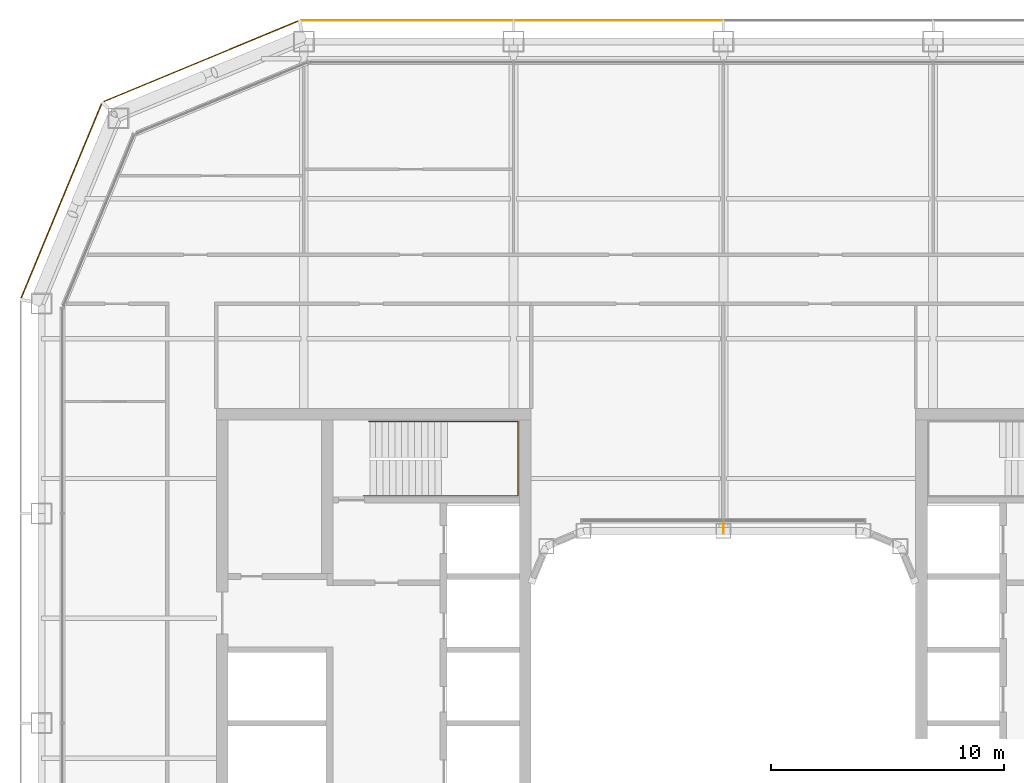
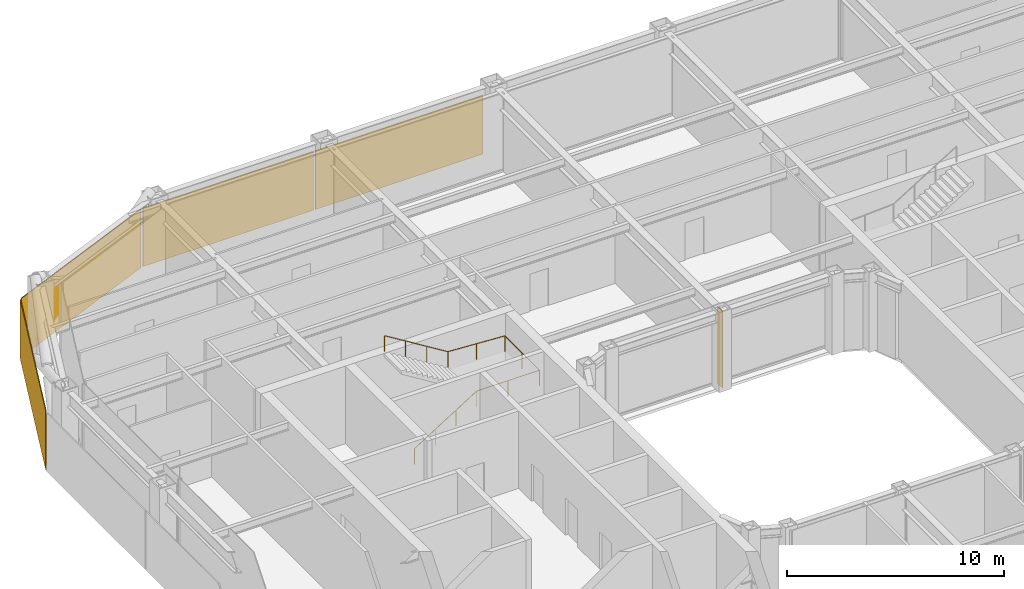
# One storey, part 20 of 21: 4 coverings, 1 railing, 1 shading device.
"""IFC4 building model written with IfcOpenShell, lengths in metres."""

from ifc_helpers import new_model, si_unit, direction, frame, origin, origin_2d, place, context, subcontext, project, spatial, rectangle, circle, extrude, material, layer, layer_set, type_object, element, save


model = new_model("IFC4")

# Units and contexts
model_context = context("Model", 3, precision=1e-05, world=origin(), true_north=direction((0.0, 1.0)))
body_context = subcontext(model_context, "Body", "Model", "MODEL_VIEW")
ifc_project = project(units=[si_unit("LENGTHUNIT", "METRE"), si_unit("AREAUNIT", "SQUARE_METRE"), si_unit("VOLUMEUNIT", "CUBIC_METRE"), si_unit("PLANEANGLEUNIT", "RADIAN"), si_unit("MASSUNIT", "GRAM", prefix="KILO")], contexts=[model_context])

# Site, building, storey
site_placement = place(None, origin())
site = spatial("IfcSite", under=ifc_project, at=site_placement, CompositionType="ELEMENT")
building_placement = place(site_placement, origin())
building = spatial("IfcBuilding", under=site, at=building_placement, Name="Siwar Civic Tower", CompositionType="ELEMENT")
storey_placement = place(building_placement, frame((0.0, 0.0, 158.699951171875)))
storey = spatial("IfcBuildingStorey", under=building, at=storey_placement, Name="L34", CompositionType="ELEMENT", Elevation=158.699951171875)

# Railing
ifc_material_1 = material(Name="Stainless steel", Category="steel")
railing_type = type_object("IfcRailingType", Name="CORE-STAIR-HANDRAIL", PredefinedType="HANDRAIL", material=ifc_material_1)
railing_placement = place(storey_placement, frame((-15.449951171875, 9.758056640625, 0.173095703125)))
element("IfcRailing", 1, at=railing_placement, inside=storey, type_object=railing_type, Name="Stair handrail ST1", PredefinedType="HANDRAIL", context=body_context, shape_type="SweptSolid", body=[
    extrude(circle(Radius=0.02001953125, at=origin_2d()), frame((0.0, 0.0, 0.8798828125), z_axis=(0.847063342986, 0.0, 0.531491950051), x_axis=(0.0, 1.0, 0.0)), (0.0, 0.0, 1.0), 3.90771484375),
    extrude(circle(Radius=0.02001953125, at=origin_2d()), frame((3.31005859375, 0.0, 2.956787109375), z_axis=(1.0, 0.0, 0.0), x_axis=(0.0, 1.0, 0.0)), (0.0, 0.0, 1.0), 3.331787109375),
    extrude(circle(Radius=0.02001953125, at=origin_2d()), frame((6.641845703125, 0.0, 2.956787109375), z_axis=(0.0, 1.0, 0.0), x_axis=(-1.0, 0.0, 0.0)), (0.0, 0.0, 1.0), 3.183837890625),
    extrude(circle(Radius=0.02001953125, at=origin_2d()), frame((6.641845703125, 3.183837890625, 2.956787109375), z_axis=(-0.99837434197, 0.0, 0.056997134106), x_axis=(0.0, -1.0, 0.0)), (0.0, 0.0, 1.0), 3.036865234375),
    extrude(circle(Radius=0.02001953125, at=origin_2d()), frame((3.60986328125, 3.183837890625, 3.1298828125), z_axis=(-0.850606129759, 0.0, 0.525803396734), x_axis=(0.0, -1.0, 0.0)), (0.0, 0.0, 1.0), 3.949951171875),
    extrude(circle(Radius=0.02001953125, at=origin_2d()), origin(), (0.0, 0.0, 1.0), 0.85986328125),
    extrude(circle(Radius=0.02001953125, at=origin_2d()), frame((1.103271484375, 0.0, 0.6923828125)), (0.0, 0.0, 1.0), 0.85986328125),
    extrude(circle(Radius=0.02001953125, at=origin_2d()), frame((2.206787109375, 0.0, 1.384521484375)), (0.0, 0.0, 1.0), 0.85986328125),
    extrude(circle(Radius=0.02001953125, at=origin_2d()), frame((3.31005859375, 0.0, 2.076904296875)), (0.0, 0.0, 1.0), 0.85986328125),
    extrude(circle(Radius=0.02001953125, at=origin_2d()), frame((4.97607421875, 0.0, 2.076904296875)), (0.0, 0.0, 1.0), 0.85986328125),
    extrude(circle(Radius=0.02001953125, at=origin_2d()), frame((6.641845703125, 0.0, 2.076904296875)), (0.0, 0.0, 1.0), 0.85986328125),
    extrude(circle(Radius=0.02001953125, at=origin_2d()), frame((6.641845703125, 1.591796875, 2.076904296875)), (0.0, 0.0, 1.0), 0.85986328125),
    extrude(circle(Radius=0.02001953125, at=origin_2d()), frame((6.641845703125, 3.183837890625, 2.076904296875)), (0.0, 0.0, 1.0), 0.85986328125),
    extrude(circle(Radius=0.02001953125, at=origin_2d()), frame((5.1259765625, 3.183837890625, 2.16357421875)), (0.0, 0.0, 1.0), 0.85986328125),
    extrude(circle(Radius=0.02001953125, at=origin_2d()), frame((3.60986328125, 3.183837890625, 2.25)), (0.0, 0.0, 1.0), 0.85986328125),
    extrude(circle(Radius=0.02001953125, at=origin_2d()), frame((2.489990234375, 3.183837890625, 2.9423828125)), (0.0, 0.0, 1.0), 0.85986328125),
    extrude(circle(Radius=0.02001953125, at=origin_2d()), frame((1.369873046875, 3.183837890625, 3.634521484375)), (0.0, 0.0, 1.0), 0.85986328125),
    extrude(circle(Radius=0.02001953125, at=origin_2d()), frame((0.25, 3.183837890625, 4.326904296875)), (0.0, 0.0, 1.0), 0.85986328125),
])

# Shading device
ifc_material_2 = material(Name="Aluminium 6063-T6", Category="aluminium")
ifc_layer_1 = layer(ifc_material_2, 0.02001953125)
ifc_layer_set_1 = layer_set([ifc_layer_1], Name="Aluminium 6063-T6")
shading_device_type = type_object("IfcShadingDeviceType", Name="ENV-FIN", PredefinedType="JALOUSIE", material=ifc_layer_set_1)
shading_device_placement = place(storey_placement, frame((0.0, 8.3701171875, 0.0), z_axis=(0.0, 0.0, 1.0), x_axis=(-1.0, 0.0, 0.0)))
element("IfcShadingDevice", 2, at=shading_device_placement, inside=storey, type_object=shading_device_type, Name="SUNSHADE fin WN 1", PredefinedType="JALOUSIE", context=body_context, shape_type="SweptSolid", body=[
    extrude(rectangle(XDim=0.02001953125, YDim=0.449951171875, at=origin_2d()), origin(), (0.0, 0.0, 1.0), 4.35009765625),
])

# Coverings
ifc_material_3 = material(Name="Perforated aluminium cassette, pale metal", Category="aluminium")
ifc_layer_2 = layer(ifc_material_3, 0.0400390625)
ifc_layer_set_2 = layer_set([ifc_layer_2], Name="Perforated aluminium cassette, pale metal")
covering_type_1 = type_object("IfcCoveringType", Name="ENV-OUTER SKIN OS-1", PredefinedType="CLADDING", material=ifc_layer_set_2)
covering_1_placement = place(storey_placement, frame((-4.5, 30.14990234375, -0.14990234375), z_axis=(0.0, 0.0, 1.0), x_axis=(-1.0, 0.0, 0.0)))
element("IfcCovering", 3, at=covering_1_placement, inside=storey, type_object=covering_type_1, Name="OUTER SKIN OS-1 N 3", PredefinedType="CLADDING", context=body_context, shape_type="SweptSolid", body=[
    extrude(rectangle(XDim=8.89990234375, YDim=0.0400390625, at=origin_2d()), origin(), (0.0, 0.0, 1.0), 3.300048828125),
])
covering_2_placement = place(storey_placement, frame((-13.57958984375, 30.14990234375, -0.14990234375), z_axis=(0.0, 0.0, 1.0), x_axis=(-1.0, 0.0, 0.0)))
element("IfcCovering", 4, at=covering_2_placement, inside=storey, type_object=covering_type_1, Name="OUTER SKIN OS-1 N 4", PredefinedType="CLADDING", context=body_context, shape_type="SweptSolid", body=[
    extrude(rectangle(XDim=9.05908203125, YDim=0.0400390625, at=origin_2d()), origin(), (0.0, 0.0, 1.0), 3.300048828125),
])
covering_3_placement = place(storey_placement, frame((-22.411376953125, 28.39697265625, -0.14990234375), z_axis=(0.0, 0.0, 1.0), x_axis=(-0.923879532511, -0.382683432365, 0.0)))
element("IfcCovering", 5, at=covering_3_placement, inside=storey, type_object=covering_type_1, Name="OUTER SKIN OS-1 NW1 1", PredefinedType="CLADDING", context=body_context, shape_type="SweptSolid", body=[
    extrude(rectangle(XDim=9.022216796875, YDim=0.0400390625, at=origin_2d()), origin(), (0.0, 0.0, 1.0), 3.300048828125),
])
ifc_material_4 = material(Name="Perforated aluminium cassette, pale metal", Category="aluminium")
ifc_layer_3 = layer(ifc_material_4, 0.044921875)
ifc_layer_set_3 = layer_set([ifc_layer_3], Name="Perforated aluminium cassette, pale metal")
covering_type_2 = type_object("IfcCoveringType", Name="ENV-OUTER SKIN OS-2", PredefinedType="CLADDING", material=ifc_layer_set_3)
covering_4_placement = place(storey_placement, frame((-28.39697265625, 22.411376953125, -0.14990234375), z_axis=(0.0, 0.0, 1.0), x_axis=(-0.382683432365, -0.923879532511, 0.0)))
element("IfcCovering", 6, at=covering_4_placement, inside=storey, type_object=covering_type_2, Name="OUTER SKIN OS-2 NW2 1", PredefinedType="CLADDING", context=body_context, shape_type="SweptSolid", body=[
    extrude(rectangle(XDim=9.022216796875, YDim=0.044921875, at=origin_2d()), origin(), (0.0, 0.0, 1.0), 3.300048828125),
])

save(model, "model.ifc")
